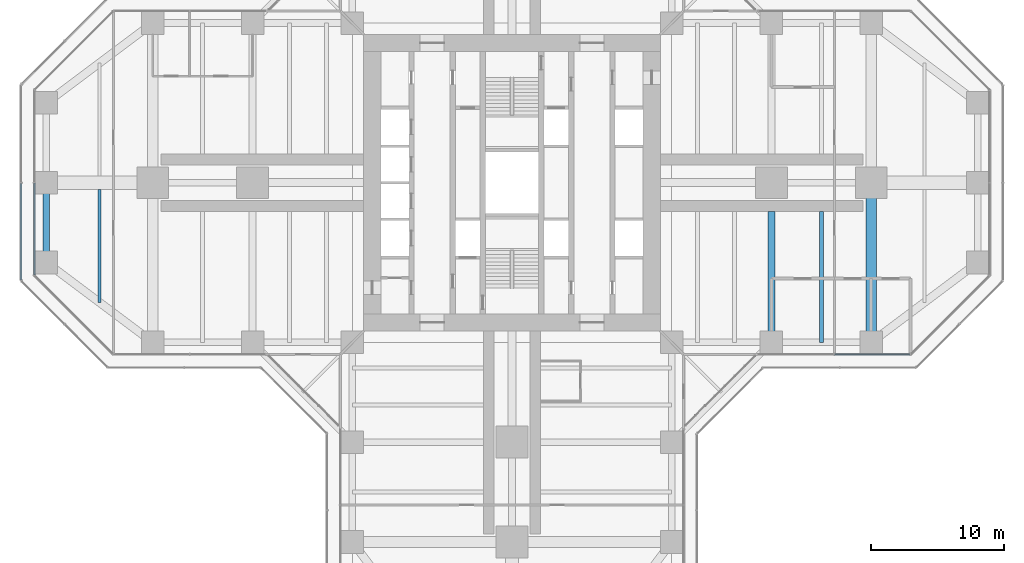
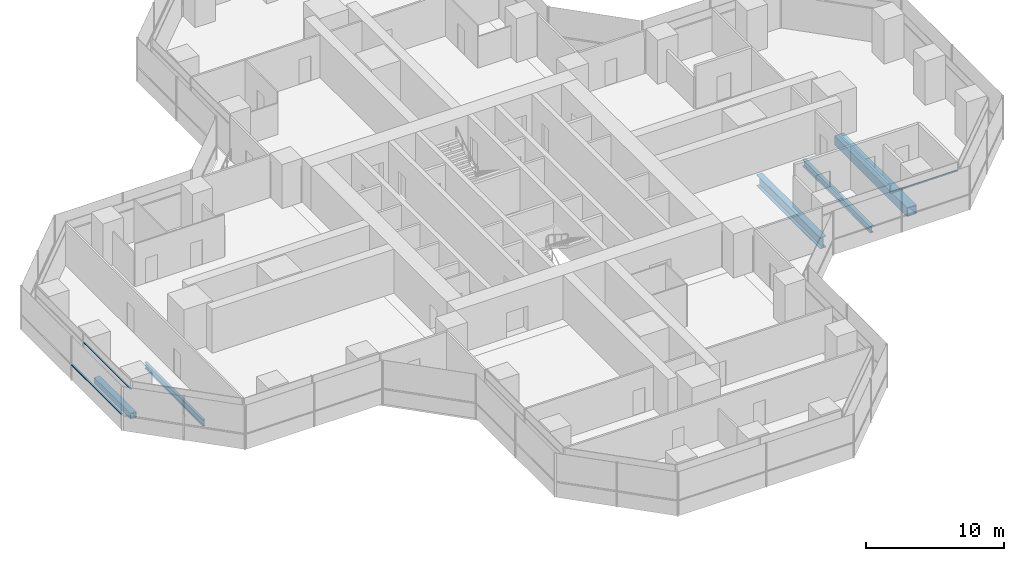
# One storey, part 7 of 22: 5 beams, 3 members, 3 elements without a shape of their own.
"""IFC4 building model written with IfcOpenShell, lengths in metres."""

from ifc_helpers import new_model, si_unit, direction, frame, origin, origin_2d, place, context, subcontext, project, spatial, rectangle, hollow_rectangle, i_section, extrude, material, material_profile, profile_set, type_object, element, aggregate, save


model = new_model("IFC4")

# Units and contexts
model_context = context("Model", 3, precision=1e-05, world=origin(), true_north=direction((0.0, 1.0)))
body_context = subcontext(model_context, "Body", "Model", "MODEL_VIEW")
ifc_project = project(units=[si_unit("LENGTHUNIT", "METRE"), si_unit("AREAUNIT", "SQUARE_METRE"), si_unit("VOLUMEUNIT", "CUBIC_METRE"), si_unit("PLANEANGLEUNIT", "RADIAN"), si_unit("MASSUNIT", "GRAM", prefix="KILO")], contexts=[model_context])

# Site, building, storey
site_placement = place(None, origin())
site = spatial("IfcSite", under=ifc_project, at=site_placement, CompositionType="ELEMENT")
building_placement = place(site_placement, origin())
building = spatial("IfcBuilding", under=site, at=building_placement, Name="Mizan Broadcast Tower", CompositionType="ELEMENT")
storey_placement = place(building_placement, frame((0.0, 0.0, 82.5)))
storey = spatial("IfcBuildingStorey", under=building, at=storey_placement, Name="L17", CompositionType="ELEMENT", Elevation=82.5)

# Beams
ifc_material_1 = material(Name="Steel S355", Category="steel")
ifc_material_profile_1 = material_profile(ifc_material_1, hollow_rectangle(XDim=0.5, YDim=0.5, WallThickness=0.030029296875, at=origin_2d()), Name="BOX 500x500x30")
ifc_profile_set_1 = profile_set([ifc_material_profile_1], Name="Steel S355")
beam_type_1 = type_object("IfcBeamType", Name="EDGE BEAM BOX 500x500x30", PredefinedType="SPANDREL", material=ifc_profile_set_1)
beam_1_placement = place(storey_placement, frame((-35.0, -5.639892578125, -0.3798828125), z_axis=(0.0, 1.0, 0.0), x_axis=(-1.0, 0.0, 0.0)))
element("IfcBeam", 1, at=beam_1_placement, inside=storey, type_object=beam_type_1, Name="Edge beam BOX 500x500x30 L17 west arm", PredefinedType="SPANDREL", context=body_context, shape_type="SweptSolid", body=[
    extrude(hollow_rectangle(XDim=0.5, YDim=0.5, WallThickness=0.030029296875, at=origin_2d()), origin(), (0.0, 0.0, 1.0), 5.27978515625),
])
ifc_material_2 = material(Name="Steel S460", Category="steel")
ifc_material_profile_2 = material_profile(ifc_material_2, hollow_rectangle(XDim=0.800048828125, YDim=0.800048828125, WallThickness=0.050048828125, at=origin_2d()), Name="BOX 800x800x50")
ifc_profile_set_2 = profile_set([ifc_material_profile_2], Name="Steel S460")
beam_type_2 = type_object("IfcBeamType", Name="GIRDER BOX 800x800x50", PredefinedType="BEAM", material=ifc_profile_set_2)
beam_2_placement = place(storey_placement, frame((27.0, -11.280029296875, -0.530029296875), z_axis=(0.0, 1.0, 0.0), x_axis=(-1.0, 0.0, 0.0)))
element("IfcBeam", 2, at=beam_2_placement, inside=storey, type_object=beam_type_2, Name="Girder BOX 800x800x50 L17 east arm", PredefinedType="BEAM", context=body_context, shape_type="SweptSolid", body=[
    extrude(hollow_rectangle(XDim=0.800048828125, YDim=0.800048828125, WallThickness=0.050048828125, at=origin_2d()), origin(), (0.0, 0.0, 1.0), 10.56005859375),
])
ifc_material_3 = material(Name="Steel S460", Category="steel")
ifc_material_profile_3 = material_profile(ifc_material_3, i_section(OverallWidth=0.5, OverallDepth=1.0, WebThickness=0.02490234375, FlangeThickness=0.050048828125, at=origin_2d()), Name="WPG 1000x500")
ifc_profile_set_3 = profile_set([ifc_material_profile_3], Name="Steel S460")
beam_type_3 = type_object("IfcBeamType", Name="GIRDER WPG 1000x500", PredefinedType="BEAM", material=ifc_profile_set_3)
beam_3_placement = place(storey_placement, frame((19.5, -11.408935546875, -0.6298828125), z_axis=(0.0, 1.0, 0.0), x_axis=(-1.0, 0.0, 0.0)))
element("IfcBeam", 3, at=beam_3_placement, inside=storey, type_object=beam_type_3, Name="Girder WPG 1000x500 L17 east arm", PredefinedType="BEAM", context=body_context, shape_type="SweptSolid", body=[
    extrude(i_section(OverallWidth=0.5, OverallDepth=1.0, WebThickness=0.02490234375, FlangeThickness=0.050048828125, at=origin_2d()), origin(), (0.0, 0.0, 1.0), 9.259033203125),
])

# Curtain wall, member
ifc_material_4 = material(Name="Aluminium framed glazing", Category="aluminium")
curtain_wall_type_1 = type_object("IfcCurtainWallType", Name="INNER SKIN LOW ZONE", PredefinedType="USERDEFINED", material=ifc_material_4)
curtain_wall_1_placement = place(storey_placement, origin())
curtain_wall_1 = element("IfcCurtainWall", 4, at=curtain_wall_1_placement, inside=storey, type_object=curtain_wall_type_1, Name="Inner skin low zone L17 E side", ObjectType="INNER SKIN LOW ZONE", PredefinedType="USERDEFINED")
ifc_material_5 = material(Name="Aluminium, pale anodised", Category="aluminium")
ifc_material_profile_4 = material_profile(ifc_material_5, rectangle(XDim=0.1201171875, YDim=0.06005859375, at=origin_2d()), Name="TRANSOM 120x60")
ifc_profile_set_4 = profile_set([ifc_material_profile_4], Name="Aluminium, pale anodised")
member_type_1 = type_object("IfcMemberType", Name="INNER SKIN TRANSOM 60x120", PredefinedType="USERDEFINED", material=ifc_profile_set_4)
member_1_placement = place(storey_placement, frame((24.25927734375, -12.89990234375, 3.030029296875), z_axis=(1.0, 0.0, 0.0), x_axis=(0.0, 1.0, 0.0)))
member_1 = element("IfcMember", 5, at=member_1_placement, type_object=member_type_1, Name="Inner skin low zone L17 E side transom 2.1", ObjectType="TRANSOM", PredefinedType="USERDEFINED", context=body_context, shape_type="SweptSolid", body=[
    extrude(rectangle(XDim=0.1201171875, YDim=0.06005859375, at=origin_2d()), origin(), (0.0, 0.0, 1.0), 5.639404296875),
])
aggregate(curtain_wall_1, [member_1])

curtain_wall_2_placement = place(storey_placement, origin())
curtain_wall_2 = element("IfcCurtainWall", 6, at=curtain_wall_2_placement, inside=storey, type_object=curtain_wall_type_1, Name="Inner skin low zone L17 W end", ObjectType="INNER SKIN LOW ZONE", PredefinedType="USERDEFINED")
member_2_placement = place(storey_placement, frame((-35.89990234375, -0.030029296875, 3.030029296875), z_axis=(0.0, -1.0, 0.0), x_axis=(1.0, 0.0, 0.0)))
member_2 = element("IfcMember", 7, at=member_2_placement, type_object=member_type_1, Name="Inner skin low zone L17 W end transom 2.1", ObjectType="TRANSOM", PredefinedType="USERDEFINED", context=body_context, shape_type="SweptSolid", body=[
    extrude(rectangle(XDim=0.1201171875, YDim=0.06005859375, at=origin_2d()), origin(), (0.0, 0.0, 1.0), 6.86865234375),
])
aggregate(curtain_wall_2, [member_2])

ifc_material_6 = material(Name="Aluminium framed glazing", Category="aluminium")
curtain_wall_type_2 = type_object("IfcCurtainWallType", Name="OUTER SKIN", PredefinedType="USERDEFINED", material=ifc_material_6)
curtain_wall_3_placement = place(storey_placement, origin())
curtain_wall_3 = element("IfcCurtainWall", 8, at=curtain_wall_3_placement, inside=storey, type_object=curtain_wall_type_2, Name="Outer skin L17 W end", ObjectType="OUTER SKIN", PredefinedType="USERDEFINED")
ifc_material_7 = material(Name="Aluminium, pale anodised", Category="aluminium")
ifc_material_profile_5 = material_profile(ifc_material_7, rectangle(XDim=0.159912109375, YDim=0.06005859375, at=origin_2d()), Name="TRANSOM 160x60")
ifc_profile_set_5 = profile_set([ifc_material_profile_5], Name="Aluminium, pale anodised")
member_type_2 = type_object("IfcMemberType", Name="OUTER SKIN TRANSOM 60x160", PredefinedType="USERDEFINED", material=ifc_profile_set_5)
member_3_placement = place(storey_placement, frame((-36.89990234375, -0.0400390625, 1.39990234375), z_axis=(0.0, -1.0, 0.0), x_axis=(1.0, 0.0, 0.0)))
member_3 = element("IfcMember", 9, at=member_3_placement, type_object=member_type_2, Name="Outer skin L17 W end transom 2.1", ObjectType="TRANSOM", PredefinedType="USERDEFINED", context=body_context, shape_type="SweptSolid", body=[
    extrude(rectangle(XDim=0.159912109375, YDim=0.06005859375, at=origin_2d()), origin(), (0.0, 0.0, 1.0), 7.252685546875),
])
aggregate(curtain_wall_3, [member_3])

# Beams
ifc_material_8 = material(Name="Steel S355", Category="steel")
ifc_material_profile_6 = material_profile(ifc_material_8, i_section(OverallWidth=0.300048828125, OverallDepth=0.590087890625, WebThickness=0.012939453125, FlangeThickness=0.02490234375, FilletRadius=0.027099609375, at=origin_2d()), Name="HEA 600")
ifc_profile_set_6 = profile_set([ifc_material_profile_6], Name="Steel S355")
beam_type_4 = type_object("IfcBeamType", Name="SECONDARY BEAM HEA 600", PredefinedType="JOIST", material=ifc_profile_set_6)
beam_4_placement = place(storey_placement, frame((23.25, -12.0, -0.425048828125), z_axis=(0.0, 1.0, 0.0), x_axis=(-1.0, 0.0, 0.0)))
element("IfcBeam", 10, at=beam_4_placement, inside=storey, type_object=beam_type_4, Name="Secondary beam HEA 600 L17 east arm", PredefinedType="JOIST", context=body_context, shape_type="SweptSolid", body=[
    extrude(i_section(OverallWidth=0.300048828125, OverallDepth=0.590087890625, WebThickness=0.012939453125, FlangeThickness=0.02490234375, FilletRadius=0.027099609375, at=origin_2d()), origin(), (0.0, 0.0, 1.0), 9.85009765625),
])
ifc_material_9 = material(Name="Steel S355", Category="steel")
ifc_material_profile_7 = material_profile(ifc_material_9, i_section(OverallWidth=0.2099609375, OverallDepth=0.550048828125, WebThickness=0.010986328125, FlangeThickness=0.01708984375, FilletRadius=0.02392578125, at=origin_2d()), Name="IPE 550")
ifc_profile_set_7 = profile_set([ifc_material_profile_7], Name="Steel S355")
beam_type_5 = type_object("IfcBeamType", Name="SECONDARY BEAM IPE 550", PredefinedType="JOIST", material=ifc_profile_set_7)
beam_5_placement = place(storey_placement, frame((-31.0, -9.0, -0.405029296875), z_axis=(0.0, 1.0, 0.0), x_axis=(-1.0, 0.0, 0.0)))
element("IfcBeam", 11, at=beam_5_placement, inside=storey, type_object=beam_type_5, Name="Secondary beam IPE 550 L17 west arm", PredefinedType="JOIST", context=body_context, shape_type="SweptSolid", body=[
    extrude(i_section(OverallWidth=0.2099609375, OverallDepth=0.550048828125, WebThickness=0.010986328125, FlangeThickness=0.01708984375, FilletRadius=0.02392578125, at=origin_2d()), origin(), (0.0, 0.0, 1.0), 8.5),
])

save(model, "model.ifc")
